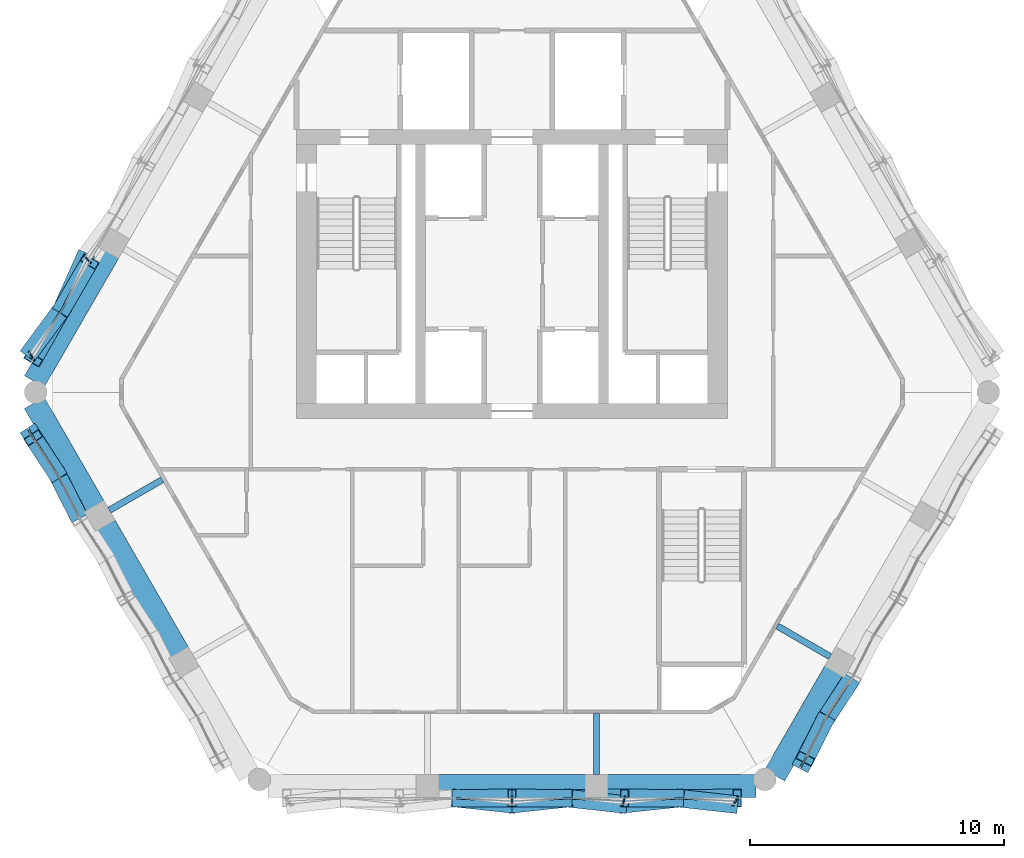
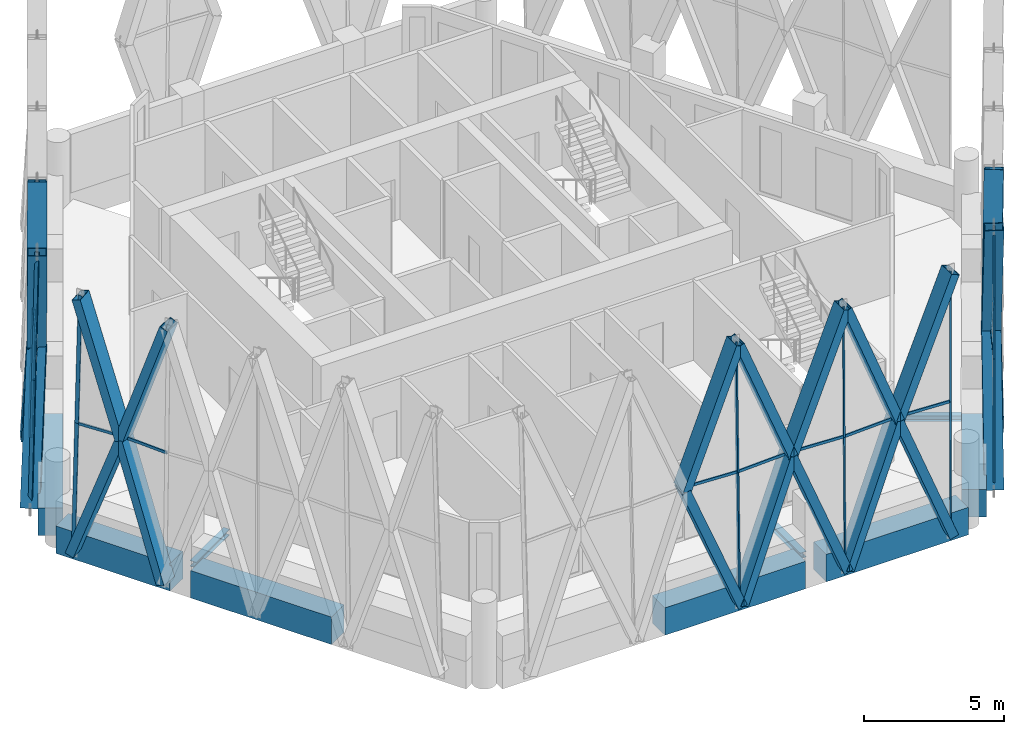
# One storey, part 4 of 22: 47 members, 9 beams, 8 elements without a shape of their own.
"""IFC4 building model written with IfcOpenShell, lengths in metres."""

import ifcopenshell
import ifcopenshell.guid

model = None  # the IFC model being written
_history = None  # IfcOwnerHistory: only IFC2X3 demands one
_inside = {}  # id of a spatial element -> (the spatial element, [elements in it])
_under = {}  # id of a project, library or spatial element -> (it, [spatial elements below it])
_declared = {}  # id of a project -> (the project, [libraries it declares])
_typed = {}  # id of a type object -> (the type object, [elements of that type])
_made_of = {}  # id of a material, layer set ... -> (it, [elements and type objects made of it])


def new_model(schema):
    """Start an empty IFC model of exactly this schema.

    Asked for "IFC4X3", IfcOpenShell would pick the latest addendum, in which some entities
    have other attributes; the version numbers below select the first issue.
    IFC2X3 requires an IfcOwnerHistory on every rooted entity: one is made here for all.
    """
    global model, _history
    if schema == "IFC4X3":
        model = ifcopenshell.file(schema_version=(4, 3, 0, 0))
    else:
        model = ifcopenshell.file(schema=schema)
    _inside.clear()
    _under.clear()
    _declared.clear()
    _typed.clear()
    _made_of.clear()
    _history = None
    if model.schema == "IFC2X3":
        org = make("IfcOrganization", Name="unknown")
        user = make(
            "IfcPersonAndOrganization",
            ThePerson=make("IfcPerson", FamilyName="unknown"),
            TheOrganization=org,
        )
        app = make(
            "IfcApplication",
            ApplicationDeveloper=org,
            Version="unknown",
            ApplicationFullName="unknown",
            ApplicationIdentifier="unknown",
        )
        _history = make(
            "IfcOwnerHistory",
            OwningUser=user,
            OwningApplication=app,
            ChangeAction="ADDED",
            CreationDate=0,
        )
    return model


def make(cls, **values):
    """One entity of the class cls with the attributes given. An attribute that is None is left unset."""
    return model.create_entity(
        cls, **{name: value for name, value in values.items() if value is not None}
    )


def rooted(cls, **values):
    """An entity with a GlobalId (a new one), such as an element, a storey or a relation."""
    return make(cls, GlobalId=ifcopenshell.guid.new(), OwnerHistory=_history, **values)


def si_unit(unit_type, name, prefix=None):
    """IfcSIUnit, for example si_unit("LENGTHUNIT", "METRE", prefix="MILLI")."""
    return make("IfcSIUnit", UnitType=unit_type, Prefix=prefix, Name=name)


def assignment(units):
    """IfcUnitAssignment: the units of a project."""
    return None if units is None else make("IfcUnitAssignment", Units=units)


def point(xyz):
    """IfcCartesianPoint."""
    return None if xyz is None else make("IfcCartesianPoint", Coordinates=xyz)


def direction(xyz):
    """IfcDirection."""
    return None if xyz is None else make("IfcDirection", DirectionRatios=xyz)


def frame(location, z_axis=None, x_axis=None):
    """IfcAxis2Placement3D, a coordinate frame: its origin and axes. An axis left out is left unset."""
    return make(
        "IfcAxis2Placement3D",
        Location=point(location),
        Axis=direction(z_axis),
        RefDirection=direction(x_axis),
    )


def frame_2d(location, x_axis=None):
    """IfcAxis2Placement2D, a coordinate frame in the plane: its origin and x axis."""
    return make(
        "IfcAxis2Placement2D", Location=point(location), RefDirection=direction(x_axis)
    )


def origin():
    """The frame at (0, 0, 0) with its axes left unset."""
    return frame((0.0, 0.0, 0.0))


def origin_2d():
    """The frame at (0, 0) in the plane with its x axis left unset."""
    return frame_2d((0.0, 0.0))


def place(relative_to, where):
    """IfcLocalPlacement: puts the frame where relative to a parent placement (None: the world)."""
    return make(
        "IfcLocalPlacement", PlacementRelTo=relative_to, RelativePlacement=where
    )


def context(
    kind, dimensions, precision=None, world=None, true_north=None, identifier=None
):
    """IfcGeometricRepresentationContext, for example the 3D "Model" context."""
    return make(
        "IfcGeometricRepresentationContext",
        ContextIdentifier=identifier,
        ContextType=kind,
        CoordinateSpaceDimension=dimensions,
        Precision=precision,
        WorldCoordinateSystem=world,
        TrueNorth=true_north,
    )


def subcontext(parent, identifier, kind, view, scale=None):
    """IfcGeometricRepresentationSubContext, for example "Body" below "Model"."""
    return make(
        "IfcGeometricRepresentationSubContext",
        ContextIdentifier=identifier,
        ContextType=kind,
        ParentContext=parent,
        TargetScale=scale,
        TargetView=view,
    )


def project(units=None, contexts=None):
    """IfcProject with its units and contexts."""
    return rooted(
        "IfcProject",
        Name="project",
        RepresentationContexts=contexts,
        UnitsInContext=assignment(units),
    )


def spatial(cls, under=None, at=None, **own):
    """A site, building, storey or space (cls), placed at a placement, below another one or the project."""
    s = rooted(cls, ObjectPlacement=at, **own)
    if under is not None:
        _under.setdefault(under.id(), (under, []))[1].append(s)
    return s


def profile(cls, at=None, kind="AREA", **sizes):
    """A parametric profile (cls). Its sizes go by their IFC names, for example OverallWidth=200.0."""
    return make(cls, ProfileType=kind, Position=at, **sizes)


def rectangle(**sizes):
    """IfcRectangleProfileDef."""
    return profile("IfcRectangleProfileDef", **sizes)


def hollow_rectangle(**sizes):
    """IfcRectangleHollowProfileDef."""
    return profile("IfcRectangleHollowProfileDef", **sizes)


def i_section(**sizes):
    """IfcIShapeProfileDef."""
    return profile("IfcIShapeProfileDef", **sizes)


def extrude(swept, where, along, depth):
    """IfcExtrudedAreaSolid: the profile swept, set in the frame where, extruded along a direction by depth."""
    return make(
        "IfcExtrudedAreaSolid",
        SweptArea=swept,
        Position=where,
        ExtrudedDirection=direction(along),
        Depth=depth,
    )


def shape(context_of_items, identifier, shape_type, items):
    """IfcShapeRepresentation: the items that make up one representation, for example the "Body"."""
    return make(
        "IfcShapeRepresentation",
        ContextOfItems=context_of_items,
        RepresentationIdentifier=identifier,
        RepresentationType=shape_type,
        Items=items,
    )


def material(Name=None, Category=None):
    """IfcMaterial."""
    return make("IfcMaterial", Name=Name, Category=Category)


def material_profile(
    of_material, cross_section, Name=None, Category=None, Priority=None
):
    """IfcMaterialProfile: a cross section and its material."""
    return make(
        "IfcMaterialProfile",
        Name=Name,
        Material=of_material,
        Profile=cross_section,
        Priority=Priority,
        Category=Category,
    )


def profile_set(profiles, Name=None, composite=None):
    """IfcMaterialProfileSet."""
    return make(
        "IfcMaterialProfileSet",
        Name=Name,
        MaterialProfiles=profiles,
        CompositeProfile=composite,
    )


def made_of(thing, what):
    """Note that an element or type object is made of a material, layer set ...; save() writes the relation."""
    if what is not None:
        _made_of.setdefault(what.id(), (what, []))[1].append(thing)
    return thing


def type_object(cls, material=None, **own):
    """A type object (cls), such as IfcWallType, which elements share."""
    return made_of(rooted(cls, **own), material)


def element(
    cls,
    number,
    at=None,
    inside=None,
    cuts=None,
    type_object=None,
    material=None,
    context=None,
    identifier="Body",
    shape_type=None,
    held_by="IfcProductDefinitionShape",
    body=None,
    shapes=None,
    **own,
):
    """One element of the class cls, such as IfcWall. Its Tag is "e" and its number.

    at: its placement. inside: the storey or other place that contains it. cuts: it is an
    opening in that element (IfcRelVoidsElement). A single representation is given by context,
    identifier, shape_type and body (its items); several are given by shapes. held_by: the class
    of the entity that holds the representations. save() writes the other relations.
    """
    e = rooted(cls, Tag="e%d" % number, ObjectPlacement=at, **own)
    if body is not None:
        shapes = [shape(context, identifier, shape_type, body)]
    if shapes is not None:
        e.Representation = make(held_by, Representations=shapes)
    if inside is not None:
        _inside.setdefault(inside.id(), (inside, []))[1].append(e)
    if cuts is not None:
        rooted(
            "IfcRelVoidsElement", RelatingBuildingElement=cuts, RelatedOpeningElement=e
        )
    if type_object is not None:
        _typed.setdefault(type_object.id(), (type_object, []))[1].append(e)
    return made_of(e, material)


def aggregate(whole, parts):
    """IfcRelAggregates: a whole, such as a stair, and the parts it consists of."""
    return rooted("IfcRelAggregates", RelatingObject=whole, RelatedObjects=parts)


def save(model, path):
    """Write the relations noted so far, then the file.

    IfcRelAggregates (storeys below a building ...), IfcRelContainedInSpatialStructure (elements
    in a storey), IfcRelDefinesByType, IfcRelAssociatesMaterial and IfcRelDeclares: one each for
    every whole, place, type object, material and project.
    """
    for whole, parts in _under.values():
        aggregate(whole, parts)
    for where, things in _inside.values():
        rooted(
            "IfcRelContainedInSpatialStructure",
            RelatedElements=things,
            RelatingStructure=where,
        )
    for kind, things in _typed.values():
        rooted("IfcRelDefinesByType", RelatedObjects=things, RelatingType=kind)
    for what, things in _made_of.values():
        rooted("IfcRelAssociatesMaterial", RelatedObjects=things, RelatingMaterial=what)
    for by, libraries in _declared.values():
        rooted("IfcRelDeclares", RelatingContext=by, RelatedDefinitions=libraries)
    model.write(path)


model = new_model("IFC4")

# Units and contexts
model_context = context("Model", 3, precision=1e-05, world=origin(), true_north=direction((0.0, 1.0)))
body_context = subcontext(model_context, "Body", "Model", "MODEL_VIEW")
ifc_project = project(units=[si_unit("LENGTHUNIT", "METRE"), si_unit("AREAUNIT", "SQUARE_METRE"), si_unit("VOLUMEUNIT", "CUBIC_METRE"), si_unit("PLANEANGLEUNIT", "RADIAN"), si_unit("MASSUNIT", "GRAM", prefix="KILO")], contexts=[model_context])

# Site, building, storey
site_placement = place(None, origin())
site = spatial("IfcSite", under=ifc_project, at=site_placement, CompositionType="ELEMENT")
building_placement = place(site_placement, origin())
building = spatial("IfcBuilding", under=site, at=building_placement, Name="Ostrander Bayou Hotel Tower", CompositionType="ELEMENT")
storey_placement = place(building_placement, frame((0.0, 0.0, 245.0)))
storey = spatial("IfcBuildingStorey", under=building, at=storey_placement, Name="L60", CompositionType="ELEMENT", Elevation=245.0)

# Curtain wall, members
ifc_material_1 = material(Name="Aluminium and clear glass", Category="aluminium")
curtain_wall_type = type_object("IfcCurtainWallType", Name="CW-LAT lattice glazing", PredefinedType="NOTDEFINED", material=ifc_material_1)
curtain_wall_1_placement = place(storey_placement, origin())
curtain_wall_1 = element("IfcCurtainWall", 1, at=curtain_wall_1_placement, inside=storey, type_object=curtain_wall_type, Name="CW-LAT L60 NW 1", PredefinedType="NOTDEFINED")
ifc_material_2 = material(Name="Aluminium", Category="aluminium")
ifc_material_profile_1 = material_profile(ifc_material_2, hollow_rectangle(XDim=0.06005859375, YDim=0.159912109375, WallThickness=0.00390625, at=origin_2d()))
ifc_profile_set_1 = profile_set([ifc_material_profile_1], Name="Aluminium")
member_type_1 = type_object("IfcMemberType", Name="CW-LA mullion 60 x 160 mm", PredefinedType="MULLION", material=ifc_profile_set_1)
member_1_placement = place(storey_placement, frame((-16.823974609375, 4.669189453125, -0.60009765625), z_axis=(0.015751145303, -0.016358627491, 0.999742115112), x_axis=(0.720355571769, 0.693604966982, 0.0)))
member_1 = element("IfcMember", 2, at=member_1_placement, type_object=member_type_1, Name="CW-LAT mullion 12", PredefinedType="MULLION", context=body_context, shape_type="SweptSolid", body=[
    extrude(hollow_rectangle(XDim=0.06005859375, YDim=0.159912109375, WallThickness=0.00390625, at=origin_2d()), origin(), (0.0, 0.0, 1.0), 5.62646484375),
])
member_2_placement = place(storey_placement, frame((-16.7353515625, 4.5771484375, 5.02490234375), z_axis=(0.015751145303, -0.016358627491, 0.999742115112), x_axis=(0.720355571769, 0.693604966982, 0.0)))
member_2 = element("IfcMember", 3, at=member_2_placement, type_object=member_type_1, Name="CW-LAT mullion 13", PredefinedType="MULLION", context=body_context, shape_type="SweptSolid", body=[
    extrude(hollow_rectangle(XDim=0.06005859375, YDim=0.159912109375, WallThickness=0.00390625, at=origin_2d()), origin(), (0.0, 0.0, 1.0), 5.62646484375),
])
member_3_placement = place(storey_placement, frame((-19.008056640625, 0.885986328125, -0.60009765625), z_axis=(0.012582810856, -0.021824668484, 0.999682627996), x_axis=(0.866328918095, 0.499473928922, 0.0)))
member_3 = element("IfcMember", 4, at=member_3_placement, type_object=member_type_1, Name="CW-LAT mullion 16", PredefinedType="MULLION", context=body_context, shape_type="SweptSolid", body=[
    extrude(hollow_rectangle(XDim=0.06005859375, YDim=0.159912109375, WallThickness=0.00390625, at=origin_2d()), origin(), (0.0, 0.0, 1.0), 5.626708984375),
])
member_4_placement = place(storey_placement, frame((-18.937255859375, 0.76318359375, 5.02490234375), z_axis=(0.012582810856, -0.021824668484, 0.999682627996), x_axis=(0.866328918095, 0.499473928922, 0.0)))
member_4 = element("IfcMember", 5, at=member_4_placement, type_object=member_type_1, Name="CW-LAT mullion 17", PredefinedType="MULLION", context=body_context, shape_type="SweptSolid", body=[
    extrude(hollow_rectangle(XDim=0.06005859375, YDim=0.159912109375, WallThickness=0.00390625, at=origin_2d()), origin(), (0.0, 0.0, 1.0), 5.626708984375),
])
aggregate(curtain_wall_1, [member_1, member_2, member_3, member_4])

curtain_wall_2_placement = place(storey_placement, origin())
curtain_wall_2 = element("IfcCurtainWall", 6, at=curtain_wall_2_placement, inside=storey, type_object=curtain_wall_type, Name="CW-LAT L60 SW 1", PredefinedType="NOTDEFINED")
member_5_placement = place(storey_placement, frame((-19.008056640625, -2.217041015625, -0.60009765625), z_axis=(0.012582810856, -0.021824668484, 0.999682627996), x_axis=(0.866328918095, 0.499473928922, 0.0)))
member_5 = element("IfcMember", 7, at=member_5_placement, type_object=member_type_1, Name="CW-LAT mullion 1", PredefinedType="MULLION", context=body_context, shape_type="SweptSolid", body=[
    extrude(hollow_rectangle(XDim=0.06005859375, YDim=0.159912109375, WallThickness=0.00390625, at=origin_2d()), origin(), (0.0, 0.0, 1.0), 5.626708984375),
])
member_6_placement = place(storey_placement, frame((-18.937255859375, -2.33984375, 5.02490234375), z_axis=(0.012582822759, -0.021781300087, 0.999683573706), x_axis=(0.865898279276, 0.500220121494, 0.0)))
member_6 = element("IfcMember", 8, at=member_6_placement, type_object=member_type_1, Name="CW-LAT mullion 2", PredefinedType="MULLION", context=body_context, shape_type="SweptSolid", body=[
    extrude(hollow_rectangle(XDim=0.06005859375, YDim=0.159912109375, WallThickness=0.00390625, at=origin_2d()), origin(), (0.0, 0.0, 1.0), 5.626708984375),
])
aggregate(curtain_wall_2, [member_5, member_6])

curtain_wall_3_placement = place(storey_placement, origin())
curtain_wall_3 = element("IfcCurtainWall", 9, at=curtain_wall_3_placement, inside=storey, type_object=curtain_wall_type, Name="CW-LAT L60 S 1", PredefinedType="NOTDEFINED")
member_7_placement = place(storey_placement, frame((0.0, -16.904541015625, -0.60009765625), z_axis=(0.0, 0.021826396408, 0.999761775835), x_axis=(-1.0, 0.0, 0.0)))
member_7 = element("IfcMember", 10, at=member_7_placement, type_object=member_type_1, Name="CW-LAT mullion 8", PredefinedType="MULLION", context=body_context, shape_type="SweptSolid", body=[
    extrude(hollow_rectangle(XDim=0.06005859375, YDim=0.159912109375, WallThickness=0.00390625, at=origin_2d()), origin(), (0.0, 0.0, 1.0), 5.626220703125),
])
member_8_placement = place(storey_placement, frame((0.0, -16.78173828125, 5.02490234375), z_axis=(0.0, 0.021826396408, 0.999761775835), x_axis=(-1.0, 0.0, 0.0)))
member_8 = element("IfcMember", 11, at=member_8_placement, type_object=member_type_1, Name="CW-LAT mullion 9", PredefinedType="MULLION", context=body_context, shape_type="SweptSolid", body=[
    extrude(hollow_rectangle(XDim=0.06005859375, YDim=0.159912109375, WallThickness=0.00390625, at=origin_2d()), origin(), (0.0, 0.0, 1.0), 5.626220703125),
])
member_9_placement = place(storey_placement, frame((4.368408203125, -16.904541015625, -0.60009765625), z_axis=(0.006291778999, 0.021825964389, 0.999741987112), x_axis=(-0.960872490948, 0.276991075919, 0.0)))
member_9 = element("IfcMember", 12, at=member_9_placement, type_object=member_type_1, Name="CW-LAT mullion 12", PredefinedType="MULLION", context=body_context, shape_type="SweptSolid", body=[
    extrude(hollow_rectangle(XDim=0.06005859375, YDim=0.159912109375, WallThickness=0.00390625, at=origin_2d()), origin(), (0.0, 0.0, 1.0), 5.62646484375),
])
member_10_placement = place(storey_placement, frame((4.40380859375, -16.78173828125, 5.02490234375), z_axis=(0.006291778999, 0.021825964389, 0.999741987112), x_axis=(-0.960872490948, 0.276991075919, 0.0)))
member_10 = element("IfcMember", 13, at=member_10_placement, type_object=member_type_1, Name="CW-LAT mullion 13", PredefinedType="MULLION", context=body_context, shape_type="SweptSolid", body=[
    extrude(hollow_rectangle(XDim=0.06005859375, YDim=0.159912109375, WallThickness=0.00390625, at=origin_2d()), origin(), (0.0, 0.0, 1.0), 5.62646484375),
])
member_11_placement = place(storey_placement, frame((8.73681640625, -16.904541015625, -0.60009765625), z_axis=(0.012582810856, 0.021824668484, 0.999682627996), x_axis=(-0.866328918095, 0.499473928922, 0.0)))
member_11 = element("IfcMember", 14, at=member_11_placement, type_object=member_type_1, Name="CW-LAT mullion 16", PredefinedType="MULLION", context=body_context, shape_type="SweptSolid", body=[
    extrude(hollow_rectangle(XDim=0.06005859375, YDim=0.159912109375, WallThickness=0.00390625, at=origin_2d()), origin(), (0.0, 0.0, 1.0), 5.626708984375),
])
member_12_placement = place(storey_placement, frame((8.8076171875, -16.78173828125, 5.02490234375), z_axis=(0.012582810856, 0.021824668484, 0.999682627996), x_axis=(-0.866328918095, 0.499473928922, 0.0)))
member_12 = element("IfcMember", 15, at=member_12_placement, type_object=member_type_1, Name="CW-LAT mullion 17", PredefinedType="MULLION", context=body_context, shape_type="SweptSolid", body=[
    extrude(hollow_rectangle(XDim=0.06005859375, YDim=0.159912109375, WallThickness=0.00390625, at=origin_2d()), origin(), (0.0, 0.0, 1.0), 5.626708984375),
])
aggregate(curtain_wall_3, [member_7, member_8, member_9, member_10, member_11, member_12])

curtain_wall_4_placement = place(storey_placement, origin())
curtain_wall_4 = element("IfcCurtainWall", 16, at=curtain_wall_4_placement, inside=storey, type_object=curtain_wall_type, Name="CW-LAT L60 SE 1", PredefinedType="NOTDEFINED")
member_13_placement = place(storey_placement, frame((11.424072265625, -15.35302734375, -0.60009765625), z_axis=(0.012582810856, 0.021824668484, 0.999682627996), x_axis=(-0.866328918095, 0.499473928922, 0.0)))
member_13 = element("IfcMember", 17, at=member_13_placement, type_object=member_type_1, Name="CW-LAT mullion 1", PredefinedType="MULLION", context=body_context, shape_type="SweptSolid", body=[
    extrude(hollow_rectangle(XDim=0.06005859375, YDim=0.159912109375, WallThickness=0.00390625, at=origin_2d()), origin(), (0.0, 0.0, 1.0), 5.626708984375),
])
member_14_placement = place(storey_placement, frame((11.494873046875, -15.230224609375, 5.02490234375), z_axis=(0.012626192954, 0.021824656549, 0.999682081273), x_axis=(-0.865583332221, 0.500764909893, 0.0)))
member_14 = element("IfcMember", 18, at=member_14_placement, type_object=member_type_1, Name="CW-LAT mullion 2", PredefinedType="MULLION", context=body_context, shape_type="SweptSolid", body=[
    extrude(hollow_rectangle(XDim=0.06005859375, YDim=0.159912109375, WallThickness=0.00390625, at=origin_2d()), origin(), (0.0, 0.0, 1.0), 5.626708984375),
])
aggregate(curtain_wall_4, [member_13, member_14])

curtain_wall_5_placement = place(storey_placement, origin())
curtain_wall_5 = element("IfcCurtainWall", 19, at=curtain_wall_5_placement, inside=storey, type_object=curtain_wall_type, Name="CW-LAT L60 NW 2", PredefinedType="NOTDEFINED")
ifc_material_3 = material(Name="Aluminium", Category="aluminium")
ifc_material_profile_2 = material_profile(ifc_material_3, hollow_rectangle(XDim=0.06005859375, YDim=0.1201171875, WallThickness=0.00390625, at=origin_2d()))
ifc_profile_set_2 = profile_set([ifc_material_profile_2], Name="Aluminium")
member_type_2 = type_object("IfcMemberType", Name="CW-LA transom 60 x 120 mm", PredefinedType="USERDEFINED", material=ifc_profile_set_2)
member_15_placement = place(storey_placement, frame((-16.7353515625, 4.5771484375, 5.02490234375), z_axis=(-0.454285663815, -0.890856068988, 0.0), x_axis=(0.890856068988, -0.454285663815, 0.0)))
member_15 = element("IfcMember", 20, at=member_15_placement, type_object=member_type_2, Name="CW-LAT transom 15", ObjectType="TRANSOM", PredefinedType="USERDEFINED", context=body_context, shape_type="SweptSolid", body=[
    extrude(hollow_rectangle(XDim=0.06005859375, YDim=0.1201171875, WallThickness=0.00390625, at=origin_2d()), origin(), (0.0, 0.0, 1.0), 2.205078125),
])
member_16_placement = place(storey_placement, frame((-18.937255859375, 0.76318359375, 5.02490234375), z_axis=(0.54433433076, 0.838868366525, 0.0), x_axis=(-0.838868366525, 0.54433433076, 0.0)))
member_16 = element("IfcMember", 21, at=member_16_placement, type_object=member_type_2, Name="CW-LAT transom 18", ObjectType="TRANSOM", PredefinedType="USERDEFINED", context=body_context, shape_type="SweptSolid", body=[
    extrude(hollow_rectangle(XDim=0.06005859375, YDim=0.1201171875, WallThickness=0.00390625, at=origin_2d()), origin(), (0.0, 0.0, 1.0), 2.204833984375),
])
aggregate(curtain_wall_5, [member_15, member_16])

curtain_wall_6_placement = place(storey_placement, origin())
curtain_wall_6 = element("IfcCurtainWall", 22, at=curtain_wall_6_placement, inside=storey, type_object=curtain_wall_type, Name="CW-LAT L60 SW 2", PredefinedType="NOTDEFINED")
member_17_placement = place(storey_placement, frame((-18.937255859375, -2.33984375, 5.02490234375), z_axis=(0.545504102111, -0.838108152078, 0.0), x_axis=(0.838108152078, 0.545504102111, 0.0)))
member_17 = element("IfcMember", 23, at=member_17_placement, type_object=member_type_2, Name="CW-LAT transom 3", ObjectType="TRANSOM", PredefinedType="USERDEFINED", context=body_context, shape_type="SweptSolid", body=[
    extrude(hollow_rectangle(XDim=0.06005859375, YDim=0.1201171875, WallThickness=0.00390625, at=origin_2d()), origin(), (0.0, 0.0, 1.0), 1.863037109375),
])
member_18_placement = place(storey_placement, frame((-17.07666015625, -5.5625, 5.02490234375), z_axis=(-0.453073746448, 0.89147303957, 0.0), x_axis=(-0.89147303957, -0.453073746448, 0.0)))
member_18 = element("IfcMember", 24, at=member_18_placement, type_object=member_type_2, Name="CW-LAT transom 6", ObjectType="TRANSOM", PredefinedType="USERDEFINED", context=body_context, shape_type="SweptSolid", body=[
    extrude(hollow_rectangle(XDim=0.06005859375, YDim=0.1201171875, WallThickness=0.00390625, at=origin_2d()), origin(), (0.0, 0.0, 1.0), 1.86328125),
])
aggregate(curtain_wall_6, [member_17, member_18])

curtain_wall_7_placement = place(storey_placement, origin())
curtain_wall_7 = element("IfcCurtainWall", 25, at=curtain_wall_7_placement, inside=storey, type_object=curtain_wall_type, Name="CW-LAT L60 S 2", PredefinedType="NOTDEFINED")
member_19_placement = place(storey_placement, frame((0.0, -16.78173828125, 5.02490234375), z_axis=(-0.998650666784, 0.051931163402, 0.0), x_axis=(-0.051931163402, -0.998650666784, 0.0)))
member_19 = element("IfcMember", 26, at=member_19_placement, type_object=member_type_2, Name="CW-LAT transom 10", ObjectType="TRANSOM", PredefinedType="USERDEFINED", context=body_context, shape_type="SweptSolid", body=[
    extrude(hollow_rectangle(XDim=0.06005859375, YDim=0.1201171875, WallThickness=0.00390625, at=origin_2d()), origin(), (0.0, 0.0, 1.0), 2.204833984375),
])
member_20_placement = place(storey_placement, frame((0.0, -16.78173828125, 5.02490234375), z_axis=(0.998650666784, 0.051931163402, 0.0), x_axis=(-0.051931163402, 0.998650666784, 0.0)))
member_20 = element("IfcMember", 27, at=member_20_placement, type_object=member_type_2, Name="CW-LAT transom 11", ObjectType="TRANSOM", PredefinedType="USERDEFINED", context=body_context, shape_type="SweptSolid", body=[
    extrude(hollow_rectangle(XDim=0.06005859375, YDim=0.1201171875, WallThickness=0.00390625, at=origin_2d()), origin(), (0.0, 0.0, 1.0), 2.204833984375),
])
member_21_placement = place(storey_placement, frame((4.40380859375, -16.78173828125, 5.02490234375), z_axis=(-0.998650666784, 0.051931163402, 0.0), x_axis=(-0.051931163402, -0.998650666784, 0.0)))
member_21 = element("IfcMember", 28, at=member_21_placement, type_object=member_type_2, Name="CW-LAT transom 14", ObjectType="TRANSOM", PredefinedType="USERDEFINED", context=body_context, shape_type="SweptSolid", body=[
    extrude(hollow_rectangle(XDim=0.06005859375, YDim=0.1201171875, WallThickness=0.00390625, at=origin_2d()), origin(), (0.0, 0.0, 1.0), 2.204833984375),
])
member_22_placement = place(storey_placement, frame((4.40380859375, -16.78173828125, 5.02490234375), z_axis=(0.998650666784, 0.051931163402, 0.0), x_axis=(-0.051931163402, 0.998650666784, 0.0)))
member_22 = element("IfcMember", 29, at=member_22_placement, type_object=member_type_2, Name="CW-LAT transom 15", ObjectType="TRANSOM", PredefinedType="USERDEFINED", context=body_context, shape_type="SweptSolid", body=[
    extrude(hollow_rectangle(XDim=0.06005859375, YDim=0.1201171875, WallThickness=0.00390625, at=origin_2d()), origin(), (0.0, 0.0, 1.0), 2.204833984375),
])
member_23_placement = place(storey_placement, frame((8.8076171875, -16.78173828125, 5.02490234375), z_axis=(-0.998650666784, 0.051931163402, 0.0), x_axis=(-0.051931163402, -0.998650666784, 0.0)))
member_23 = element("IfcMember", 30, at=member_23_placement, type_object=member_type_2, Name="CW-LAT transom 18", ObjectType="TRANSOM", PredefinedType="USERDEFINED", context=body_context, shape_type="SweptSolid", body=[
    extrude(hollow_rectangle(XDim=0.06005859375, YDim=0.1201171875, WallThickness=0.00390625, at=origin_2d()), origin(), (0.0, 0.0, 1.0), 2.204833984375),
])
aggregate(curtain_wall_7, [member_19, member_20, member_21, member_22, member_23])

curtain_wall_8_placement = place(storey_placement, origin())
curtain_wall_8 = element("IfcCurtainWall", 31, at=curtain_wall_8_placement, inside=storey, type_object=curtain_wall_type, Name="CW-LAT L60 SE 2", PredefinedType="NOTDEFINED")
member_24_placement = place(storey_placement, frame((11.494873046875, -15.230224609375, 5.02490234375), z_axis=(0.453073746448, 0.89147303957, 0.0), x_axis=(-0.89147303957, 0.453073746448, 0.0)))
member_24 = element("IfcMember", 32, at=member_24_placement, type_object=member_type_2, Name="CW-LAT transom 3", ObjectType="TRANSOM", PredefinedType="USERDEFINED", context=body_context, shape_type="SweptSolid", body=[
    extrude(hollow_rectangle(XDim=0.06005859375, YDim=0.1201171875, WallThickness=0.00390625, at=origin_2d()), origin(), (0.0, 0.0, 1.0), 1.86328125),
])
member_25_placement = place(storey_placement, frame((13.35546875, -12.007568359375, 5.02490234375), z_axis=(-0.545504102111, -0.838108152078, 0.0), x_axis=(0.838108152078, -0.545504102111, 0.0)))
member_25 = element("IfcMember", 33, at=member_25_placement, type_object=member_type_2, Name="CW-LAT transom 6", ObjectType="TRANSOM", PredefinedType="USERDEFINED", context=body_context, shape_type="SweptSolid", body=[
    extrude(hollow_rectangle(XDim=0.06005859375, YDim=0.1201171875, WallThickness=0.00390625, at=origin_2d()), origin(), (0.0, 0.0, 1.0), 1.863037109375),
])
aggregate(curtain_wall_8, [member_24, member_25])

# Beams
ifc_material_4 = material(Name="Steel ASTM A992", Category="steel")
ifc_material_profile_3 = material_profile(ifc_material_4, i_section(OverallWidth=0.25390625, OverallDepth=0.25341796875, WebThickness=0.008544921875, FlangeThickness=0.01416015625, at=origin_2d()))
ifc_profile_set_3 = profile_set([ifc_material_profile_3], Name="Steel ASTM A992")
beam_type_1 = type_object("IfcBeamType", Name="LB2 loggia bracket W10x49", PredefinedType="BEAM", material=ifc_profile_set_3)
beam_1_placement = place(storey_placement, frame((-15.867431640625, -5.316650390625, -0.4267578125), z_axis=(0.866024647952, 0.500001309137, 0.0), x_axis=(-0.500001309137, 0.866024647952, 0.0)))
element("IfcBeam", 34, at=beam_1_placement, inside=storey, type_object=beam_type_1, Name="LB2 L60 SW1", PredefinedType="BEAM", context=body_context, shape_type="SweptSolid", body=[
    extrude(i_section(OverallWidth=0.25390625, OverallDepth=0.25341796875, WebThickness=0.008544921875, FlangeThickness=0.01416015625, at=origin_2d()), origin(), (0.0, 0.0, 1.0), 2.39990234375),
])
beam_2_placement = place(storey_placement, frame((3.329345703125, -15.734619140625, -0.4267578125), z_axis=(0.0, 1.0, 0.0), x_axis=(-1.0, 0.0, 0.0)))
element("IfcBeam", 35, at=beam_2_placement, inside=storey, type_object=beam_type_1, Name="LB2 L60 S2", PredefinedType="BEAM", context=body_context, shape_type="SweptSolid", body=[
    extrude(i_section(OverallWidth=0.25390625, OverallDepth=0.25341796875, WebThickness=0.008544921875, FlangeThickness=0.01416015625, at=origin_2d()), origin(), (0.0, 0.0, 1.0), 2.400146484375),
])
beam_3_placement = place(storey_placement, frame((12.5380859375, -11.083251953125, -0.4267578125), z_axis=(-0.866024647952, 0.500001309137, 0.0), x_axis=(-0.500001309137, -0.866024647952, 0.0)))
element("IfcBeam", 36, at=beam_3_placement, inside=storey, type_object=beam_type_1, Name="LB2 L60 SE1", PredefinedType="BEAM", context=body_context, shape_type="SweptSolid", body=[
    extrude(i_section(OverallWidth=0.25390625, OverallDepth=0.25341796875, WebThickness=0.008544921875, FlangeThickness=0.01416015625, at=origin_2d()), origin(), (0.0, 0.0, 1.0), 2.39990234375),
])

# Members
ifc_material_5 = material(Name="Steel ASTM A572 Gr 50", Category="steel")
ifc_material_profile_4 = material_profile(ifc_material_5, hollow_rectangle(XDim=0.699951171875, YDim=0.35009765625, WallThickness=0.02490234375, at=origin_2d()))
ifc_profile_set_4 = profile_set([ifc_material_profile_4], Name="Steel ASTM A572 Gr 50")
member_type_3 = type_object("IfcMemberType", Name="LT1 lattice member box 700 x 350 x 25 mm", PredefinedType="BRACE", material=ifc_profile_set_4)
member_26_placement = place(storey_placement, frame((-17.737060546875, 2.61279296875, 5.02490234375), z_axis=(0.150716283941, 0.339434026641, -0.928476786632), x_axis=(-0.913954676359, 0.405816275624, 0.0)))
element("IfcMember", 37, at=member_26_placement, inside=storey, type_object=member_type_3, Name="LT1 L60 NW 13", PredefinedType="BRACE", context=body_context, shape_type="SweptSolid", body=[
    extrude(hollow_rectangle(XDim=0.699951171875, YDim=0.35009765625, WallThickness=0.02490234375, at=origin_2d()), origin(), (0.0, 0.0, 1.0), 6.058349609375),
])
member_27_placement = place(storey_placement, frame((-17.737060546875, 2.61279296875, 5.02490234375), z_axis=(0.180882322919, 0.310610509285, 0.933168096742), x_axis=(-0.864150571287, 0.503233335685, 0.0)))
element("IfcMember", 38, at=member_27_placement, inside=storey, type_object=member_type_3, Name="LT1 L60 NW 14", PredefinedType="BRACE", context=body_context, shape_type="SweptSolid", body=[
    extrude(hollow_rectangle(XDim=0.699951171875, YDim=0.35009765625, WallThickness=0.02490234375, at=origin_2d()), origin(), (0.0, 0.0, 1.0), 6.02783203125),
])
member_28_placement = place(storey_placement, frame((-17.737060546875, 2.61279296875, 5.02490234375), z_axis=(-0.211136151604, -0.286854783, -0.934417390119), x_axis=(0.805364818521, -0.592779477622, 0.0)))
element("IfcMember", 39, at=member_28_placement, inside=storey, type_object=member_type_3, Name="LT1 L60 NW 15", PredefinedType="BRACE", context=body_context, shape_type="SweptSolid", body=[
    extrude(hollow_rectangle(XDim=0.699951171875, YDim=0.35009765625, WallThickness=0.02490234375, at=origin_2d()), origin(), (0.0, 0.0, 1.0), 6.019775390625),
])
member_29_placement = place(storey_placement, frame((-17.737060546875, 2.61279296875, 5.02490234375), z_axis=(-0.186158566981, -0.325113502515, 0.9271710729), x_axis=(0.86780653592, -0.496902219973, 0.0)))
element("IfcMember", 40, at=member_29_placement, inside=storey, type_object=member_type_3, Name="LT1 L60 NW 16", PredefinedType="BRACE", context=body_context, shape_type="SweptSolid", body=[
    extrude(hollow_rectangle(XDim=0.699951171875, YDim=0.35009765625, WallThickness=0.02490234375, at=origin_2d()), origin(), (0.0, 0.0, 1.0), 6.06689453125),
])
member_30_placement = place(storey_placement, frame((-17.9208984375, -3.9013671875, 5.02490234375), z_axis=(-0.182056071659, 0.28205812674, -0.941965392099), x_axis=(-0.840183884188, -0.542301614189, 0.0)))
element("IfcMember", 41, at=member_30_placement, inside=storey, type_object=member_type_3, Name="LT1 L60 SW 1", PredefinedType="BRACE", context=body_context, shape_type="SweptSolid", body=[
    extrude(hollow_rectangle(XDim=0.699951171875, YDim=0.35009765625, WallThickness=0.02490234375, at=origin_2d()), origin(), (0.0, 0.0, 1.0), 5.971435546875),
])
member_31_placement = place(storey_placement, frame((-17.9208984375, -3.9013671875, 5.02490234375), z_axis=(-0.160737089624, 0.244612550025, 0.95620514974), x_axis=(-0.835718494526, -0.549158080981, 0.0)))
element("IfcMember", 42, at=member_31_placement, inside=storey, type_object=member_type_3, Name="LT1 L60 SW 2", PredefinedType="BRACE", context=body_context, shape_type="SweptSolid", body=[
    extrude(hollow_rectangle(XDim=0.699951171875, YDim=0.35009765625, WallThickness=0.02490234375, at=origin_2d()), origin(), (0.0, 0.0, 1.0), 5.882568359375),
])
member_32_placement = place(storey_placement, frame((-17.9208984375, -3.9013671875, 5.02490234375), z_axis=(0.137005406206, -0.270950625253, -0.952793407484), x_axis=(0.892402299809, 0.451240662281, 0.0)))
element("IfcMember", 43, at=member_32_placement, inside=storey, type_object=member_type_3, Name="LT1 L60 SW 3", PredefinedType="BRACE", context=body_context, shape_type="SweptSolid", body=[
    extrude(hollow_rectangle(XDim=0.699951171875, YDim=0.35009765625, WallThickness=0.02490234375, at=origin_2d()), origin(), (0.0, 0.0, 1.0), 5.90380859375),
])
member_33_placement = place(storey_placement, frame((-17.9208984375, -3.9013671875, 5.02490234375), z_axis=(0.147883150311, -0.2895685888, 0.945664108568), x_axis=(0.890582419243, 0.454821893201, 0.0)))
element("IfcMember", 44, at=member_33_placement, inside=storey, type_object=member_type_3, Name="LT1 L60 SW 4", PredefinedType="BRACE", context=body_context, shape_type="SweptSolid", body=[
    extrude(hollow_rectangle(XDim=0.699951171875, YDim=0.35009765625, WallThickness=0.02490234375, at=origin_2d()), origin(), (0.0, 0.0, 1.0), 5.9482421875),
])
member_34_placement = place(storey_placement, frame((-2.201904296875, -16.667236328125, 5.02490234375), z_axis=(0.364235731847, -0.039254588242, -0.930479128701), x_axis=(0.107151996568, 0.994242651284, 0.0)))
element("IfcMember", 45, at=member_34_placement, inside=storey, type_object=member_type_3, Name="LT1 L60 S 7", PredefinedType="BRACE", context=body_context, shape_type="SweptSolid", body=[
    extrude(hollow_rectangle(XDim=0.699951171875, YDim=0.35009765625, WallThickness=0.02490234375, at=origin_2d()), origin(), (0.0, 0.0, 1.0), 6.045166015625),
])
member_35_placement = place(storey_placement, frame((-2.201904296875, -16.667236328125, 5.02490234375), z_axis=(0.364516341977, 0.00137416073, 0.931195977286), x_axis=(-0.003769792483, 0.999992894307, 0.0)))
element("IfcMember", 46, at=member_35_placement, inside=storey, type_object=member_type_3, Name="LT1 L60 S 8", PredefinedType="BRACE", context=body_context, shape_type="SweptSolid", body=[
    extrude(hollow_rectangle(XDim=0.699951171875, YDim=0.35009765625, WallThickness=0.02490234375, at=origin_2d()), origin(), (0.0, 0.0, 1.0), 6.04052734375),
])
member_36_placement = place(storey_placement, frame((2.201904296875, -16.667236328125, 5.02490234375), z_axis=(-0.364235731847, -0.039254588242, -0.930479128701), x_axis=(0.107151996568, -0.994242651284, 0.0)))
element("IfcMember", 47, at=member_36_placement, inside=storey, type_object=member_type_3, Name="LT1 L60 S 9", PredefinedType="BRACE", context=body_context, shape_type="SweptSolid", body=[
    extrude(hollow_rectangle(XDim=0.699951171875, YDim=0.35009765625, WallThickness=0.02490234375, at=origin_2d()), origin(), (0.0, 0.0, 1.0), 6.045166015625),
])
member_37_placement = place(storey_placement, frame((2.201904296875, -16.667236328125, 5.02490234375), z_axis=(-0.364516341977, 0.00137416073, 0.931195977286), x_axis=(-0.003769792483, -0.999992894307, 0.0)))
element("IfcMember", 48, at=member_37_placement, inside=storey, type_object=member_type_3, Name="LT1 L60 S 10", PredefinedType="BRACE", context=body_context, shape_type="SweptSolid", body=[
    extrude(hollow_rectangle(XDim=0.699951171875, YDim=0.35009765625, WallThickness=0.02490234375, at=origin_2d()), origin(), (0.0, 0.0, 1.0), 6.04052734375),
])
member_38_placement = place(storey_placement, frame((2.201904296875, -16.667236328125, 5.02490234375), z_axis=(0.359140518013, -0.039337906638, -0.932454083279), x_axis=(0.108882254168, 0.994054653793, 0.0)))
element("IfcMember", 49, at=member_38_placement, inside=storey, type_object=member_type_3, Name="LT1 L60 S 11", PredefinedType="BRACE", context=body_context, shape_type="SweptSolid", body=[
    extrude(hollow_rectangle(XDim=0.699951171875, YDim=0.35009765625, WallThickness=0.02490234375, at=origin_2d()), origin(), (0.0, 0.0, 1.0), 6.032470703125),
])
member_39_placement = place(storey_placement, frame((2.201904296875, -16.667236328125, 5.02490234375), z_axis=(0.369581738258, 0.001371211163, 0.929197211859), x_axis=(-0.003710144696, 0.999993117389, 0.0)))
element("IfcMember", 50, at=member_39_placement, inside=storey, type_object=member_type_3, Name="LT1 L60 S 12", PredefinedType="BRACE", context=body_context, shape_type="SweptSolid", body=[
    extrude(hollow_rectangle(XDim=0.699951171875, YDim=0.35009765625, WallThickness=0.02490234375, at=origin_2d()), origin(), (0.0, 0.0, 1.0), 6.0537109375),
])
member_40_placement = place(storey_placement, frame((6.605712890625, -16.667236328125, 5.02490234375), z_axis=(-0.369298447368, -0.039170459498, -0.928484965885), x_axis=(0.105475565458, -0.994421894917, 0.0)))
element("IfcMember", 51, at=member_40_placement, inside=storey, type_object=member_type_3, Name="LT1 L60 S 13", PredefinedType="BRACE", context=body_context, shape_type="SweptSolid", body=[
    extrude(hollow_rectangle(XDim=0.699951171875, YDim=0.35009765625, WallThickness=0.02490234375, at=origin_2d()), origin(), (0.0, 0.0, 1.0), 6.058349609375),
])
member_41_placement = place(storey_placement, frame((6.605712890625, -16.667236328125, 5.02490234375), z_axis=(-0.359418379895, 0.001377081915, 0.933175509665), x_axis=(-0.003831389503, -0.9999926602, 0.0)))
element("IfcMember", 52, at=member_41_placement, inside=storey, type_object=member_type_3, Name="LT1 L60 S 14", PredefinedType="BRACE", context=body_context, shape_type="SweptSolid", body=[
    extrude(hollow_rectangle(XDim=0.699951171875, YDim=0.35009765625, WallThickness=0.02490234375, at=origin_2d()), origin(), (0.0, 0.0, 1.0), 6.02783203125),
])
member_42_placement = place(storey_placement, frame((6.605712890625, -16.667236328125, 5.02490234375), z_axis=(0.354012987574, -0.039420394538, -0.93440935201), x_axis=(0.110668956321, 0.993857324824, 0.0)))
element("IfcMember", 53, at=member_42_placement, inside=storey, type_object=member_type_3, Name="LT1 L60 S 15", PredefinedType="BRACE", context=body_context, shape_type="SweptSolid", body=[
    extrude(hollow_rectangle(XDim=0.699951171875, YDim=0.35009765625, WallThickness=0.02490234375, at=origin_2d()), origin(), (0.0, 0.0, 1.0), 6.019775390625),
])
member_43_placement = place(storey_placement, frame((6.605712890625, -16.667236328125, 5.02490234375), z_axis=(0.374614398759, 0.00136823392, 0.927179691418), x_axis=(-0.003652355057, 0.999993330129, 0.0)))
element("IfcMember", 54, at=member_43_placement, inside=storey, type_object=member_type_3, Name="LT1 L60 S 16", PredefinedType="BRACE", context=body_context, shape_type="SweptSolid", body=[
    extrude(hollow_rectangle(XDim=0.699951171875, YDim=0.35009765625, WallThickness=0.02490234375, at=origin_2d()), origin(), (0.0, 0.0, 1.0), 6.06689453125),
])
member_44_placement = place(storey_placement, frame((12.339111328125, -13.569091796875, 5.02490234375), z_axis=(-0.153231075086, -0.298735182938, -0.941954100847), x_axis=(0.889776890266, -0.456395755401, 0.0)))
element("IfcMember", 55, at=member_44_placement, inside=storey, type_object=member_type_3, Name="LT1 L60 SE 1", PredefinedType="BRACE", context=body_context, shape_type="SweptSolid", body=[
    extrude(hollow_rectangle(XDim=0.699951171875, YDim=0.35009765625, WallThickness=0.02490234375, at=origin_2d()), origin(), (0.0, 0.0, 1.0), 5.9716796875),
])
member_45_placement = place(storey_placement, frame((12.339111328125, -13.569091796875, 5.02490234375), z_axis=(-0.131437484346, -0.261505395916, 0.956210811284), x_axis=(0.893489344554, -0.449084392034, 0.0)))
element("IfcMember", 56, at=member_45_placement, inside=storey, type_object=member_type_3, Name="LT1 L60 SE 2", PredefinedType="BRACE", context=body_context, shape_type="SweptSolid", body=[
    extrude(hollow_rectangle(XDim=0.699951171875, YDim=0.35009765625, WallThickness=0.02490234375, at=origin_2d()), origin(), (0.0, 0.0, 1.0), 5.882568359375),
])
member_46_placement = place(storey_placement, frame((12.339111328125, -13.569091796875, 5.02490234375), z_axis=(0.166161541966, 0.254080765017, -0.952802868814), x_axis=(-0.83692161695, 0.547322763168, 0.0)))
element("IfcMember", 57, at=member_46_placement, inside=storey, type_object=member_type_3, Name="LT1 L60 SE 3", PredefinedType="BRACE", context=body_context, shape_type="SweptSolid", body=[
    extrude(hollow_rectangle(XDim=0.699951171875, YDim=0.35009765625, WallThickness=0.02490234375, at=origin_2d()), origin(), (0.0, 0.0, 1.0), 5.903564453125),
])
member_47_placement = place(storey_placement, frame((12.339111328125, -13.569091796875, 5.02490234375), z_axis=(0.176821447188, 0.272825478054, 0.945674592203), x_axis=(-0.839166857956, 0.543874052064, 0.0)))
element("IfcMember", 58, at=member_47_placement, inside=storey, type_object=member_type_3, Name="LT1 L60 SE 4", PredefinedType="BRACE", context=body_context, shape_type="SweptSolid", body=[
    extrude(hollow_rectangle(XDim=0.699951171875, YDim=0.35009765625, WallThickness=0.02490234375, at=origin_2d()), origin(), (0.0, 0.0, 1.0), 5.9482421875),
])

# Beams
ifc_material_6 = material(Name="Concrete f'c 60 MPa", Category="concrete")
ifc_material_profile_5 = material_profile(ifc_material_6, rectangle(XDim=0.89990234375, YDim=1.199951171875, at=origin_2d()))
ifc_profile_set_5 = profile_set([ifc_material_profile_5], Name="Concrete f'c 60 MPa")
beam_type_2 = type_object("IfcBeamType", Name="SP4 spandrel beam 900 x 1200 mm f'c 60 MPa", PredefinedType="SPANDREL", material=ifc_profile_set_5)
beam_4_placement = place(storey_placement, frame((-15.890869140625, 4.84521484375, -0.60009765625), z_axis=(-0.499990994059, -0.866030603304, 0.0), x_axis=(0.866030603304, -0.499990994059, 0.0)))
element("IfcBeam", 59, at=beam_4_placement, inside=storey, type_object=beam_type_2, Name="SP4 L60 NW-3", PredefinedType="SPANDREL", context=body_context, shape_type="SweptSolid", body=[
    extrude(rectangle(XDim=0.89990234375, YDim=1.199951171875, at=origin_2d()), origin(), (0.0, 0.0, 1.0), 5.8759765625),
])
beam_5_placement = place(storey_placement, frame((-18.828857421875, -1.08740234375, -0.60009765625), z_axis=(0.499980471007, -0.86603667856, 0.0), x_axis=(0.86603667856, 0.499980471007, 0.0)))
element("IfcBeam", 60, at=beam_5_placement, inside=storey, type_object=beam_type_2, Name="SP4 L60 SW-1", PredefinedType="SPANDREL", context=body_context, shape_type="SweptSolid", body=[
    extrude(rectangle(XDim=0.89990234375, YDim=1.199951171875, at=origin_2d()), origin(), (0.0, 0.0, 1.0), 4.723388671875),
])
beam_6_placement = place(storey_placement, frame((-16.047119140625, -5.905517578125, -0.60009765625), z_axis=(0.500015433515, -0.866016493057, 0.0), x_axis=(0.866016493057, 0.500015433515, 0.0)))
element("IfcBeam", 61, at=beam_6_placement, inside=storey, type_object=beam_type_2, Name="SP4 L60 SW-2", PredefinedType="SPANDREL", context=body_context, shape_type="SweptSolid", body=[
    extrude(rectangle(XDim=0.89990234375, YDim=1.199951171875, at=origin_2d()), origin(), (0.0, 0.0, 1.0), 5.818603515625),
])
beam_7_placement = place(storey_placement, frame((-2.909423828125, -16.1845703125, -0.60009765625), z_axis=(1.0, 0.0, 0.0), x_axis=(0.0, 1.0, 0.0)))
element("IfcBeam", 62, at=beam_7_placement, inside=storey, type_object=beam_type_2, Name="SP4 L60 S-2", PredefinedType="SPANDREL", context=body_context, shape_type="SweptSolid", body=[
    extrude(rectangle(XDim=0.89990234375, YDim=1.199951171875, at=origin_2d()), origin(), (0.0, 0.0, 1.0), 5.81884765625),
])
beam_8_placement = place(storey_placement, frame((3.74951171875, -16.1845703125, -0.60009765625), z_axis=(1.0, 0.0, 0.0), x_axis=(0.0, 1.0, 0.0)))
element("IfcBeam", 63, at=beam_8_placement, inside=storey, type_object=beam_type_2, Name="SP4 L60 S-3", PredefinedType="SPANDREL", context=body_context, shape_type="SweptSolid", body=[
    extrude(rectangle(XDim=0.89990234375, YDim=1.199951171875, at=origin_2d()), origin(), (0.0, 0.0, 1.0), 5.8759765625),
])
beam_9_placement = place(storey_placement, frame((10.356201171875, -15.762451171875, -0.60009765625), z_axis=(0.500002852929, 0.866023756639, 0.0), x_axis=(-0.866023756639, 0.500002852929, 0.0)))
element("IfcBeam", 64, at=beam_9_placement, inside=storey, type_object=beam_type_2, Name="SP4 L60 SE-1", PredefinedType="SPANDREL", context=body_context, shape_type="SweptSolid", body=[
    extrude(rectangle(XDim=0.89990234375, YDim=1.199951171875, at=origin_2d()), origin(), (0.0, 0.0, 1.0), 4.72314453125),
])

save(model, "model.ifc")
